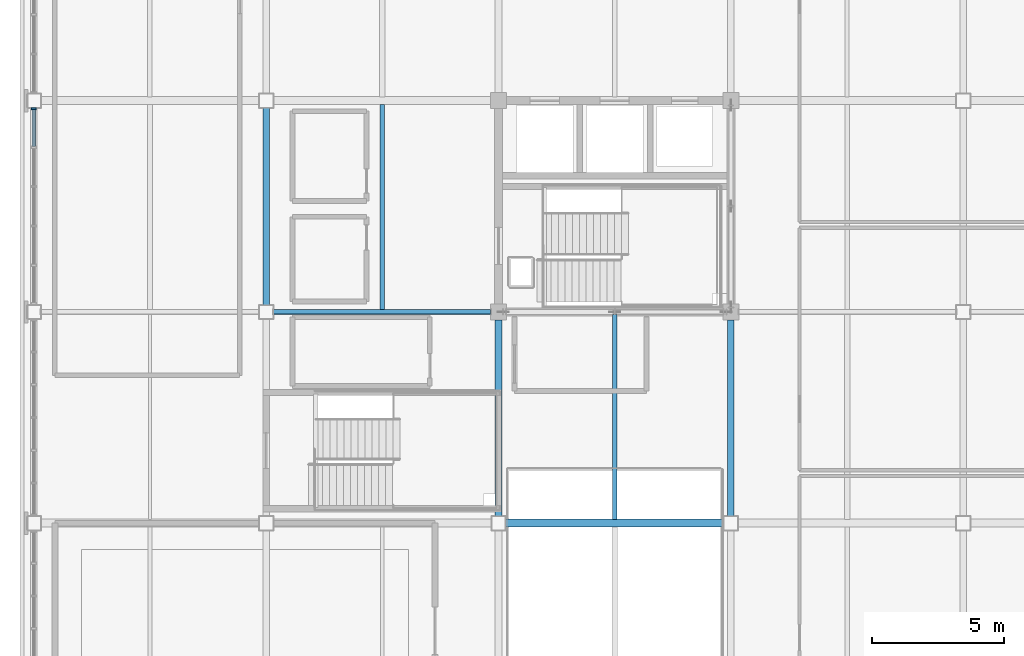
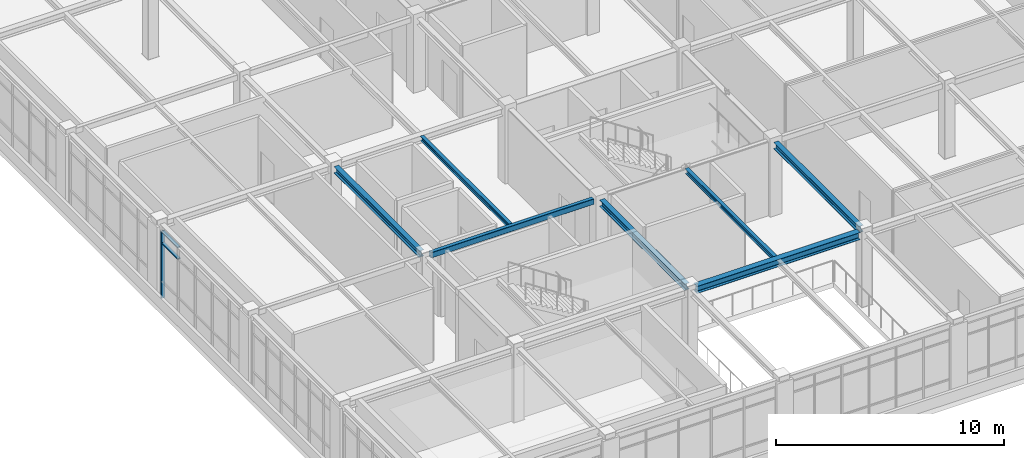
# One storey, part 18 of 88: 7 beams, 3 members, 1 element without a shape of its own.
"""IFC4 building model written with IfcOpenShell, lengths in metres."""

from ifc_helpers import new_model, si_unit, direction, frame, origin, origin_2d, place, context, subcontext, project, spatial, rectangle, hollow_rectangle, i_section, extrude, material, material_profile, profile_set, type_object, element, aggregate, save


model = new_model("IFC4")

# Units and contexts
model_context = context("Model", 3, precision=1e-05, world=origin(), true_north=direction((0.0, 1.0)))
body_context = subcontext(model_context, "Body", "Model", "MODEL_VIEW")
ifc_project = project(units=[si_unit("LENGTHUNIT", "METRE"), si_unit("AREAUNIT", "SQUARE_METRE"), si_unit("VOLUMEUNIT", "CUBIC_METRE"), si_unit("PLANEANGLEUNIT", "RADIAN"), si_unit("MASSUNIT", "GRAM", prefix="KILO")], contexts=[model_context])

# Site, building, storey
site_placement = place(None, origin())
site = spatial("IfcSite", under=ifc_project, at=site_placement, CompositionType="ELEMENT")
building_placement = place(site_placement, origin())
building = spatial("IfcBuilding", under=site, at=building_placement, Name="Zhaolan Boulevard Law Courts", CompositionType="ELEMENT")
storey_placement = place(building_placement, frame((0.0, 0.0, 16.199951171875)))
storey = spatial("IfcBuildingStorey", under=building, at=storey_placement, Name="L03", CompositionType="ELEMENT", Elevation=16.199951171875)

# Curtain wall, members
ifc_material_1 = material(Name="Thermally broken aluminium and low-E glazing", Category="aluminium")
curtain_wall_type = type_object("IfcCurtainWallType", Name="CURTAIN WALL M7", PredefinedType="USERDEFINED", material=ifc_material_1)
curtain_wall_placement = place(storey_placement, origin())
curtain_wall = element("IfcCurtainWall", 1, at=curtain_wall_placement, inside=storey, type_object=curtain_wall_type, Name="Curtain Wall CW-L03-175", ObjectType="CURTAIN WALL", PredefinedType="USERDEFINED")
ifc_material_2 = material(Name="Fluorocarbon-coated aluminium 6063-T6", Category="aluminium")
ifc_material_profile_1 = material_profile(ifc_material_2, rectangle(XDim=0.179931640625, YDim=0.06494140625, at=origin_2d()), Name="AL65x180")
ifc_profile_set_1 = profile_set([ifc_material_profile_1], Name="Fluorocarbon-coated aluminium 6063-T6")
member_type_1 = type_object("IfcMemberType", Name="CWMULLION 65X180", PredefinedType="MULLION", material=ifc_profile_set_1)
member_1_placement = place(storey_placement, frame((0.0, 53.6904296875, 0.0), z_axis=(0.0, 0.0, 1.0), x_axis=(1.0, 0.0, 0.0)))
member_1 = element("IfcMember", 2, at=member_1_placement, type_object=member_type_1, Name="CW-L03-175 mullion 1", PredefinedType="MULLION", context=body_context, shape_type="SweptSolid", body=[
    extrude(rectangle(XDim=0.179931640625, YDim=0.06494140625, at=origin_2d()), origin(), (0.0, 0.0, 1.0), 3.593017578125),
])
ifc_material_3 = material(Name="Fluorocarbon-coated aluminium 6063-T6", Category="aluminium")
ifc_material_profile_2 = material_profile(ifc_material_3, rectangle(XDim=0.139892578125, YDim=0.06494140625, at=origin_2d()), Name="AL65x140")
ifc_profile_set_2 = profile_set([ifc_material_profile_2], Name="Fluorocarbon-coated aluminium 6063-T6")
member_type_2 = type_object("IfcMemberType", Name="CWTRANSOM 65X140", PredefinedType="USERDEFINED", material=ifc_profile_set_2)
member_2_placement = place(storey_placement, frame((0.0, 53.657958984375, 2.943115234375), z_axis=(0.0, -1.0, 0.0), x_axis=(1.0, 0.0, 0.0)))
member_2 = element("IfcMember", 3, at=member_2_placement, type_object=member_type_2, Name="CW-L03-175 transom 1.3", ObjectType="TRANSOM", PredefinedType="USERDEFINED", context=body_context, shape_type="SweptSolid", body=[
    extrude(rectangle(XDim=0.139892578125, YDim=0.06494140625, at=origin_2d()), origin(), (0.0, 0.0, 1.0), 1.3916015625),
])
member_3_placement = place(storey_placement, frame((0.0, 53.657958984375, 3.560546875), z_axis=(0.0, -1.0, 0.0), x_axis=(1.0, 0.0, 0.0)))
member_3 = element("IfcMember", 4, at=member_3_placement, type_object=member_type_2, Name="CW-L03-175 transom 1.4", ObjectType="TRANSOM", PredefinedType="USERDEFINED", context=body_context, shape_type="SweptSolid", body=[
    extrude(rectangle(XDim=0.139892578125, YDim=0.06494140625, at=origin_2d()), origin(), (0.0, 0.0, 1.0), 1.3916015625),
])
aggregate(curtain_wall, [member_1, member_2, member_3])

# Beams
ifc_material_4 = material(Name="Structural steel Q355B", Category="steel")
ifc_material_profile_3 = material_profile(ifc_material_4, i_section(OverallWidth=0.25, OverallDepth=0.340087890625, WebThickness=0.009033203125, FlangeThickness=0.013916015625, FilletRadius=0.01611328125, at=origin_2d()), Name="HM340x250")
ifc_profile_set_3 = profile_set([ifc_material_profile_3], Name="Structural steel Q355B")
beam_type_1 = type_object("IfcBeamType", Name="GIRDER HM340", PredefinedType="BEAM", material=ifc_profile_set_3)
beam_1_placement = place(storey_placement, frame((8.800048828125, 46.27099609375, 3.778076171875), z_axis=(0.0, 1.0, 0.0), x_axis=(-1.0, 0.0, 0.0)))
element("IfcBeam", 5, at=beam_1_placement, inside=storey, type_object=beam_type_1, Name="Beam BY-L04-2-G-H", PredefinedType="BEAM", context=body_context, shape_type="SweptSolid", body=[
    extrude(i_section(OverallWidth=0.25, OverallDepth=0.340087890625, WebThickness=0.009033203125, FlangeThickness=0.013916015625, FilletRadius=0.01611328125, at=origin_2d()), origin(), (0.0, 0.0, 1.0), 7.4580078125),
])
for number, where, z_axis, x_axis, name in (
    (6, (17.60009765625, 38.27099609375, 3.778076171875), (0.0, 1.0, 0.0), (-1.0, 0.0, 0.0), "Beam BY-L04-3-F-G"),
    (7, (26.39990234375, 38.27099609375, 3.778076171875), (0.0, 1.0, 0.0), (-1.0, 0.0, 0.0), "Beam BY-L04-4-F-G"),
):
    element("IfcBeam", number, at=place(storey_placement, frame(where, z_axis=z_axis, x_axis=x_axis)), inside=storey, type_object=beam_type_1, Name=name, PredefinedType="BEAM", context=body_context, shape_type="SweptSolid", body=[
        extrude(i_section(OverallWidth=0.25, OverallDepth=0.340087890625, WebThickness=0.009033203125, FlangeThickness=0.013916015625, FilletRadius=0.01611328125, at=origin_2d()), origin(), (0.0, 0.0, 1.0), 7.43310546875),
    ])
ifc_material_5 = material(Name="Structural steel Q355B", Category="steel")
ifc_material_profile_4 = material_profile(ifc_material_5, i_section(OverallWidth=0.300048828125, OverallDepth=0.389892578125, WebThickness=0.010009765625, FlangeThickness=0.01611328125, FilletRadius=0.01806640625, at=origin_2d()), Name="HM390x300")
ifc_profile_set_4 = profile_set([ifc_material_profile_4], Name="Structural steel Q355B")
beam_type_2 = type_object("IfcBeamType", Name="GIRDER HM390", PredefinedType="BEAM", material=ifc_profile_set_4)
beam_2_placement = place(storey_placement, frame((17.87109375, 38.0, 3.7529296875), z_axis=(1.0, 0.0, 0.0), x_axis=(0.0, 1.0, 0.0)))
element("IfcBeam", 8, at=beam_2_placement, inside=storey, type_object=beam_type_2, Name="Beam BX-L04-3-4-F", PredefinedType="BEAM", context=body_context, shape_type="SweptSolid", body=[
    extrude(i_section(OverallWidth=0.300048828125, OverallDepth=0.389892578125, WebThickness=0.010009765625, FlangeThickness=0.01611328125, FilletRadius=0.01806640625, at=origin_2d()), origin(), (0.0, 0.0, 1.0), 8.2578125),
])
ifc_material_6 = material(Name="Structural steel Q355B", Category="steel")
ifc_material_profile_5 = material_profile(ifc_material_6, i_section(OverallWidth=0.175048828125, OverallDepth=0.243896484375, WebThickness=0.007080078125, FlangeThickness=0.010986328125, FilletRadius=0.012939453125, at=origin_2d()), Name="HM244x175")
ifc_profile_set_5 = profile_set([ifc_material_profile_5], Name="Structural steel Q355B")
beam_type_3 = type_object("IfcBeamType", Name="JOIST HM244", PredefinedType="JOIST", material=ifc_profile_set_5)
for number, where, z_axis, x_axis, name in (
    (9, (13.199951171875, 46.095947265625, 3.825927734375), (0.0, 1.0, 0.0), (-1.0, 0.0, 0.0), "Composite Joist J-L04-2G"),
    (10, (22.0, 38.14599609375, 3.825927734375), (0.0, 1.0, 0.0), (-1.0, 0.0, 0.0), "Composite Joist J-L04-3F"),
):
    element("IfcBeam", number, at=place(storey_placement, frame(where, z_axis=z_axis, x_axis=x_axis)), inside=storey, type_object=beam_type_3, Name=name, PredefinedType="JOIST", context=body_context, shape_type="SweptSolid", body=[
        extrude(i_section(OverallWidth=0.175048828125, OverallDepth=0.243896484375, WebThickness=0.007080078125, FlangeThickness=0.010986328125, FilletRadius=0.012939453125, at=origin_2d()), origin(), (0.0, 0.0, 1.0), 7.758056640625),
    ])
ifc_material_7 = material(Name="Structural steel Q355B", Category="steel")
ifc_material_profile_6 = material_profile(ifc_material_7, hollow_rectangle(XDim=0.199951171875, YDim=0.300048828125, WallThickness=0.011962890625, InnerFilletRadius=0.011962890625, OuterFilletRadius=0.02392578125, at=origin_2d()), Name="HSS300x200x12")
ifc_profile_set_6 = profile_set([ifc_material_profile_6], Name="Structural steel Q355B")
beam_type_4 = type_object("IfcBeamType", Name="SPANDREL HSS300", PredefinedType="SPANDREL", material=ifc_profile_set_6)
beam_3_placement = place(storey_placement, frame((9.071044921875, 46.0, 3.798095703125), z_axis=(1.0, 0.0, 0.0), x_axis=(0.0, 1.0, 0.0)))
element("IfcBeam", 11, at=beam_3_placement, inside=storey, type_object=beam_type_4, Name="Beam BX-L04-2-3-G", PredefinedType="SPANDREL", context=body_context, shape_type="SweptSolid", body=[
    extrude(hollow_rectangle(XDim=0.199951171875, YDim=0.300048828125, WallThickness=0.011962890625, InnerFilletRadius=0.011962890625, OuterFilletRadius=0.02392578125, at=origin_2d()), origin(), (0.0, 0.0, 1.0), 8.23291015625),
])

save(model, "model.ifc")
